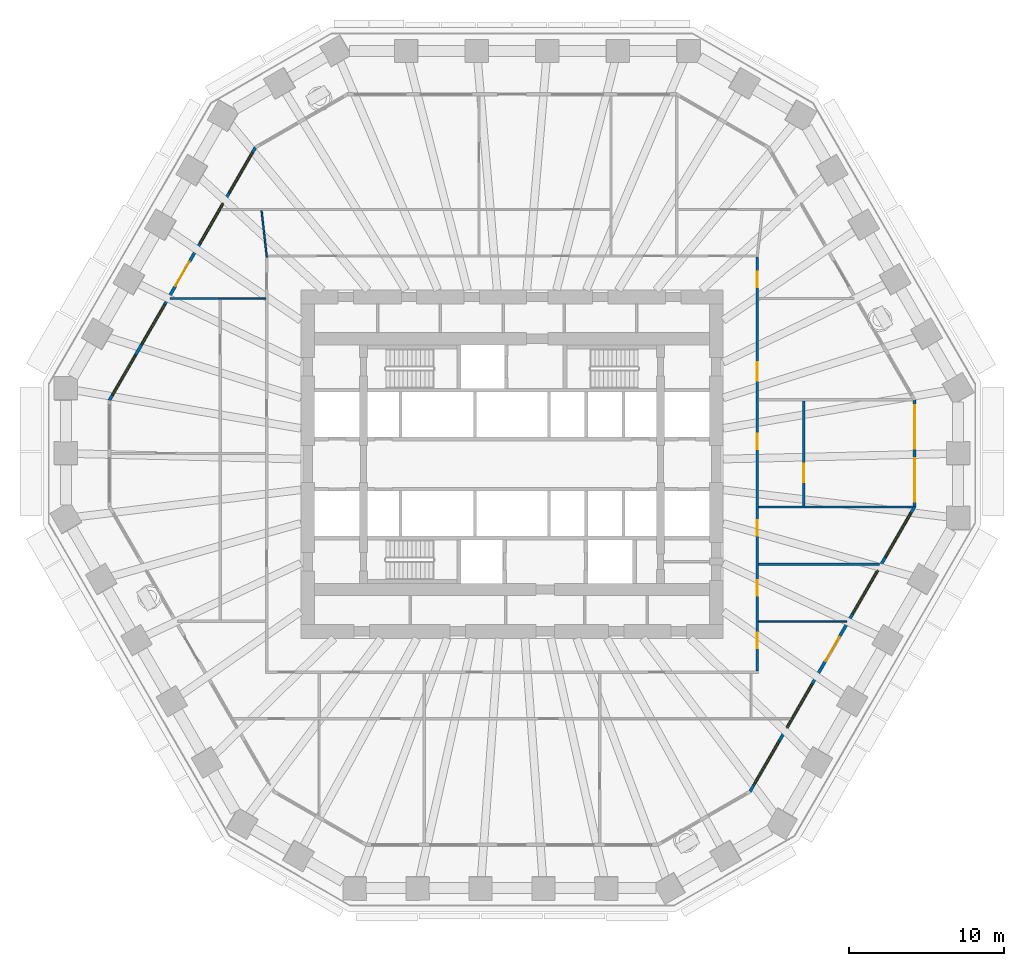
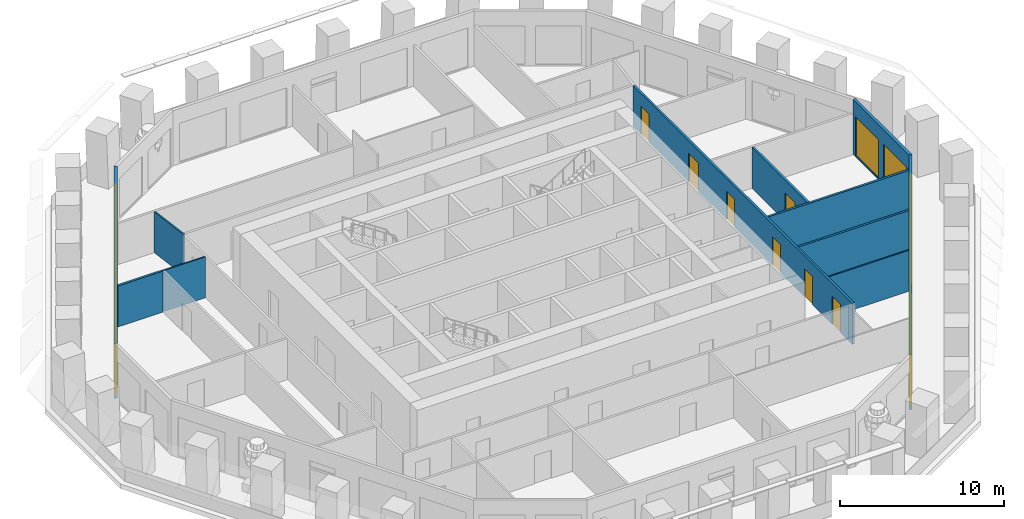
# One storey, part 6 of 13: 12 windows, 11 walls, 9 doors, 21 openings.
"""IFC4 building model written with IfcOpenShell, lengths in metres."""

from ifc_helpers import new_model, si_unit, direction, frame, frame_2d, origin, place, context, subcontext, project, spatial, polyline, rectangle, outline, extrude, material, layer, layer_set, type_object, element, fill, save


model = new_model("IFC4")

# Units and contexts
model_context = context("Model", 3, precision=1e-05, world=origin(), true_north=direction((0.0, 1.0)))
body_context = subcontext(model_context, "Body", "Model", "MODEL_VIEW")
ifc_project = project(units=[si_unit("LENGTHUNIT", "METRE"), si_unit("AREAUNIT", "SQUARE_METRE"), si_unit("VOLUMEUNIT", "CUBIC_METRE"), si_unit("PLANEANGLEUNIT", "RADIAN"), si_unit("MASSUNIT", "GRAM", prefix="KILO")], contexts=[model_context])

# Site, building, storey
site_placement = place(None, origin())
site = spatial("IfcSite", under=ifc_project, at=site_placement, CompositionType="ELEMENT")
building_placement = place(site_placement, origin())
building = spatial("IfcBuilding", under=site, at=building_placement, Name="Frailejon Research Tower", CompositionType="ELEMENT")
storey_placement = place(building_placement, frame((0.0, 0.0, 36.60009765625)))
storey = spatial("IfcBuildingStorey", under=building, at=storey_placement, Name="L08", CompositionType="ELEMENT", Elevation=36.60009765625)

# Wall, openings, doors
ifc_material_1 = material(Name="Gypsum board and masonry partition", Category="masonry")
ifc_layer_1 = layer(ifc_material_1, 0.14990234375)
ifc_layer_set_1 = layer_set([ifc_layer_1], Name="Corridor wall EI 60, gypsum on steel studs 150")
wall_type_1 = type_object("IfcWallType", Name="Corridor wall EI 60, gypsum on steel studs 150", PredefinedType="PARTITIONING", material=ifc_layer_set_1)
wall_1_placement = place(storey_placement, frame((15.85009765625, -13.375, 0.0), z_axis=(0.0, 0.0, 1.0), x_axis=(0.0, 1.0, 0.0)))
wall_1 = element("IfcWall", 1, at=wall_1_placement, inside=storey, type_object=wall_type_1, Name="T:IW:L08:001", PredefinedType="PARTITIONING", context=body_context, shape_type="SweptSolid", body=[
    extrude(rectangle(XDim=26.75, YDim=0.14990234375, at=frame_2d((13.375, 0.0))), origin(), (0.0, 0.0, 1.0), 3.0498046875),
])
opening_1_placement = place(wall_1_placement, frame((14.3505859375, 0.0, 0.0)))
opening_1 = element("IfcOpeningElement", 2, at=opening_1_placement, cuts=wall_1, Name="Opening D1346", PredefinedType="OPENING", context=body_context, shape_type="SweptSolid", body=[
    extrude(rectangle(XDim=1.0, YDim=2.10009765625, at=frame_2d((0.5, 1.050048828125))), frame((0.0, 0.0849609375, 0.0), z_axis=(0.0, -1.0, 0.0), x_axis=(1.0, 0.0, 0.0)), (0.0, 0.0, 1.0), 0.169921875),
])
opening_2_placement = place(wall_1_placement, frame((18.77490234375, 0.0, 0.0)))
opening_2 = element("IfcOpeningElement", 3, at=opening_2_placement, cuts=wall_1, Name="Opening D1347", PredefinedType="OPENING", context=body_context, shape_type="SweptSolid", body=[
    extrude(rectangle(XDim=1.199951171875, YDim=2.10009765625, at=frame_2d((0.60009765625, 1.050048828125))), frame((0.0, 0.0849609375, 0.0), z_axis=(0.0, -1.0, 0.0), x_axis=(1.0, 0.0, 0.0)), (0.0, 0.0, 1.0), 0.169921875),
])
opening_3_placement = place(wall_1_placement, frame((24.797607421875, 0.0, 0.0)))
opening_3 = element("IfcOpeningElement", 4, at=opening_3_placement, cuts=wall_1, Name="Opening D1348", PredefinedType="OPENING", context=body_context, shape_type="SweptSolid", body=[
    extrude(rectangle(XDim=1.0, YDim=2.10009765625, at=frame_2d((0.5, 1.050048828125))), frame((0.0, 0.0849609375, 0.0), z_axis=(0.0, -1.0, 0.0), x_axis=(1.0, 0.0, 0.0)), (0.0, 0.0, 1.0), 0.169921875),
])
opening_4_placement = place(wall_1_placement, frame((1.4716796875, 0.0, 0.0)))
opening_4 = element("IfcOpeningElement", 5, at=opening_4_placement, cuts=wall_1, Name="Opening D1369", PredefinedType="OPENING", context=body_context, shape_type="SweptSolid", body=[
    extrude(rectangle(XDim=1.0, YDim=2.10009765625, at=frame_2d((0.5, 1.050048828125))), frame((0.0, 0.0849609375, 0.0), z_axis=(0.0, -1.0, 0.0), x_axis=(1.0, 0.0, 0.0)), (0.0, 0.0, 1.0), 0.169921875),
])
opening_5_placement = place(wall_1_placement, frame((4.864501953125, 0.0, 0.0)))
opening_5 = element("IfcOpeningElement", 6, at=opening_5_placement, cuts=wall_1, Name="Opening D1370", PredefinedType="OPENING", context=body_context, shape_type="SweptSolid", body=[
    extrude(rectangle(XDim=1.0, YDim=2.10009765625, at=frame_2d((0.5, 1.050048828125))), frame((0.0, 0.0849609375, 0.0), z_axis=(0.0, -1.0, 0.0), x_axis=(1.0, 0.0, 0.0)), (0.0, 0.0, 1.0), 0.169921875),
])
opening_6_placement = place(wall_1_placement, frame((8.75439453125, 0.0, 0.0)))
opening_6 = element("IfcOpeningElement", 7, at=opening_6_placement, cuts=wall_1, Name="Opening D1371", PredefinedType="OPENING", context=body_context, shape_type="SweptSolid", body=[
    extrude(rectangle(XDim=1.0, YDim=2.10009765625, at=frame_2d((0.5, 1.050048828125))), frame((0.0, 0.0849609375, 0.0), z_axis=(0.0, -1.0, 0.0), x_axis=(1.0, 0.0, 0.0)), (0.0, 0.0, 1.0), 0.169921875),
])
ifc_material_2 = material(Name="Timber door leaf", Category="wood")
door_type_1 = type_object("IfcDoorType", Name="Door laboratory, timber, vision panel 1000", OperationType="NOTDEFINED", PredefinedType="DOOR", material=ifc_material_2)
door_1_placement = place(opening_1_placement, origin())
door_1 = element("IfcDoor", 8, at=door_1_placement, inside=storey, type_object=door_type_1, Name="D1346", OperationType="SINGLE_SWING_RIGHT", OverallHeight=2.10009765625, OverallWidth=1.0, PredefinedType="DOOR", context=body_context, shape_type="SweptSolid", body=[
    extrude(rectangle(XDim=1.0, YDim=2.10009765625, at=frame_2d((0.5, 1.050048828125))), frame((0.0, 0.02490234375, 0.0), z_axis=(0.0, -1.0, 0.0), x_axis=(1.0, 0.0, 0.0)), (0.0, 0.0, 1.0), 0.050048828125),
])
fill(opening_1, door_1)
door_2_placement = place(opening_6_placement, origin())
door_2 = element("IfcDoor", 9, at=door_2_placement, inside=storey, type_object=door_type_1, Name="D1371", OperationType="SINGLE_SWING_LEFT", OverallHeight=2.10009765625, OverallWidth=1.0, PredefinedType="DOOR", context=body_context, shape_type="SweptSolid", body=[
    extrude(rectangle(XDim=1.0, YDim=2.10009765625, at=frame_2d((0.5, 1.050048828125))), frame((0.0, 0.02490234375, 0.0), z_axis=(0.0, -1.0, 0.0), x_axis=(1.0, 0.0, 0.0)), (0.0, 0.0, 1.0), 0.050048828125),
])
fill(opening_6, door_2)
ifc_material_3 = material(Name="Timber door leaf", Category="wood")
door_type_2 = type_object("IfcDoorType", Name="Door laboratory, timber, vision panel 1200", OperationType="NOTDEFINED", PredefinedType="DOOR", material=ifc_material_3)
door_3_placement = place(opening_2_placement, origin())
door_3 = element("IfcDoor", 10, at=door_3_placement, inside=storey, type_object=door_type_2, Name="D1347", OperationType="DOUBLE_DOOR_SINGLE_SWING", OverallHeight=2.10009765625, OverallWidth=1.199951171875, PredefinedType="DOOR", context=body_context, shape_type="SweptSolid", body=[
    extrude(rectangle(XDim=1.199951171875, YDim=2.10009765625, at=frame_2d((0.60009765625, 1.050048828125))), frame((0.0, 0.02490234375, 0.0), z_axis=(0.0, -1.0, 0.0), x_axis=(1.0, 0.0, 0.0)), (0.0, 0.0, 1.0), 0.050048828125),
])
fill(opening_2, door_3)
ifc_material_4 = material(Name="Timber door leaf", Category="wood")
door_type_3 = type_object("IfcDoorType", Name="Door single leaf, timber, steel frame 1000", OperationType="NOTDEFINED", PredefinedType="DOOR", material=ifc_material_4)
door_4_placement = place(opening_3_placement, origin())
door_4 = element("IfcDoor", 11, at=door_4_placement, inside=storey, type_object=door_type_3, Name="D1348", OperationType="SINGLE_SWING_LEFT", OverallHeight=2.10009765625, OverallWidth=1.0, PredefinedType="DOOR", context=body_context, shape_type="SweptSolid", body=[
    extrude(rectangle(XDim=1.0, YDim=2.10009765625, at=frame_2d((0.5, 1.050048828125))), frame((0.0, 0.02490234375, 0.0), z_axis=(0.0, -1.0, 0.0), x_axis=(1.0, 0.0, 0.0)), (0.0, 0.0, 1.0), 0.050048828125),
])
fill(opening_3, door_4)
door_5_placement = place(opening_4_placement, origin())
door_5 = element("IfcDoor", 12, at=door_5_placement, inside=storey, type_object=door_type_3, Name="D1369", OperationType="SINGLE_SWING_RIGHT", OverallHeight=2.10009765625, OverallWidth=1.0, PredefinedType="DOOR", context=body_context, shape_type="SweptSolid", body=[
    extrude(rectangle(XDim=1.0, YDim=2.10009765625, at=frame_2d((0.5, 1.050048828125))), frame((0.0, 0.02490234375, 0.0), z_axis=(0.0, -1.0, 0.0), x_axis=(1.0, 0.0, 0.0)), (0.0, 0.0, 1.0), 0.050048828125),
])
fill(opening_4, door_5)
door_6_placement = place(opening_5_placement, origin())
door_6 = element("IfcDoor", 13, at=door_6_placement, inside=storey, type_object=door_type_3, Name="D1370", OperationType="SINGLE_SWING_RIGHT", OverallHeight=2.10009765625, OverallWidth=1.0, PredefinedType="DOOR", context=body_context, shape_type="SweptSolid", body=[
    extrude(rectangle(XDim=1.0, YDim=2.10009765625, at=frame_2d((0.5, 1.050048828125))), frame((0.0, 0.02490234375, 0.0), z_axis=(0.0, -1.0, 0.0), x_axis=(1.0, 0.0, 0.0)), (0.0, 0.0, 1.0), 0.050048828125),
])
fill(opening_5, door_6)

# Wall, opening, door
ifc_material_5 = material(Name="Gypsum board and masonry partition", Category="masonry")
ifc_layer_2 = layer(ifc_material_5, 0.14990234375)
ifc_layer_set_2 = layer_set([ifc_layer_2], Name="Laboratory partition, blockwork 150")
wall_type_2 = type_object("IfcWallType", Name="Laboratory partition, blockwork 150", PredefinedType="PARTITIONING", material=ifc_layer_set_2)
wall_2_placement = place(storey_placement, frame((18.85009765625, -2.69775390625, 0.0), z_axis=(0.0, 0.0, 1.0), x_axis=(0.0, 1.0, 0.0)))
wall_2 = element("IfcWall", 14, at=wall_2_placement, inside=storey, type_object=wall_type_2, Name="T:IW:L08:005", PredefinedType="PARTITIONING", context=body_context, shape_type="SweptSolid", body=[
    extrude(rectangle(XDim=6.7783203125, YDim=0.14990234375, at=frame_2d((3.38916015625, 0.0))), origin(), (0.0, 0.0, 1.0), 3.0498046875),
])
opening_7_placement = place(wall_2_placement, frame((1.531982421875, 0.0, 0.0)))
opening_7 = element("IfcOpeningElement", 15, at=opening_7_placement, cuts=wall_2, Name="Opening D1345", PredefinedType="OPENING", context=body_context, shape_type="SweptSolid", body=[
    extrude(rectangle(XDim=1.199951171875, YDim=2.10009765625, at=frame_2d((0.60009765625, 1.050048828125))), frame((0.0, 0.0849609375, 0.0), z_axis=(0.0, -1.0, 0.0), x_axis=(1.0, 0.0, 0.0)), (0.0, 0.0, 1.0), 0.169921875),
])
door_7_placement = place(opening_7_placement, origin())
door_7 = element("IfcDoor", 16, at=door_7_placement, inside=storey, type_object=door_type_2, Name="D1345", OperationType="DOUBLE_DOOR_SINGLE_SWING", OverallHeight=2.10009765625, OverallWidth=1.199951171875, PredefinedType="DOOR", context=body_context, shape_type="SweptSolid", body=[
    extrude(rectangle(XDim=1.199951171875, YDim=2.10009765625, at=frame_2d((0.60009765625, 1.050048828125))), frame((0.0, 0.02490234375, 0.0), z_axis=(0.0, -1.0, 0.0), x_axis=(1.0, 0.0, 0.0)), (0.0, 0.0, 1.0), 0.050048828125),
])
fill(opening_7, door_7)

# Walls
wall_3_placement = place(storey_placement, frame((15.925048828125, -2.772705078125, 0.0), z_axis=(0.0, 0.0, 1.0), x_axis=(1.0, 0.0, 0.0)))
element("IfcWall", 17, at=wall_3_placement, inside=storey, type_object=wall_type_2, Name="T:IW:L08:007", PredefinedType="PARTITIONING", context=body_context, shape_type="SweptSolid", body=[
    extrude(rectangle(XDim=9.9560546875, YDim=0.14990234375, at=frame_2d((4.97802734375, 0.0))), origin(), (0.0, 0.0, 1.0), 3.0498046875),
])
wall_4_placement = place(storey_placement, frame((-22.09814453125, 10.70751953125, 0.0), z_axis=(0.0, 0.0, 1.0), x_axis=(1.0, 0.0, 0.0)))
element("IfcWall", 18, at=wall_4_placement, inside=storey, type_object=wall_type_2, Name="T:IW:L08:008", PredefinedType="PARTITIONING", context=body_context, shape_type="SweptSolid", body=[
    extrude(rectangle(XDim=3.173095703125, YDim=0.14990234375, at=frame_2d((1.58642578125, 0.0))), origin(), (0.0, 0.0, 1.0), 3.0498046875),
])
wall_5_placement = place(storey_placement, frame((15.925048828125, -6.463623046875, 0.0), z_axis=(0.0, 0.0, 1.0), x_axis=(1.0, 0.0, 0.0)))
element("IfcWall", 19, at=wall_5_placement, inside=storey, type_object=wall_type_2, Name="T:IW:L08:023", PredefinedType="PARTITIONING", context=body_context, shape_type="SweptSolid", body=[
    extrude(rectangle(XDim=7.824951171875, YDim=0.14990234375, at=frame_2d((3.91259765625, 0.0))), origin(), (0.0, 0.0, 1.0), 3.0498046875),
])
ifc_material_6 = material(Name="Gypsum board and masonry partition", Category="masonry")
ifc_layer_3 = layer(ifc_material_6, 0.10009765625)
ifc_layer_set_3 = layer_set([ifc_layer_3], Name="Partition, gypsum on steel studs 100")
wall_type_3 = type_object("IfcWallType", Name="Partition, gypsum on steel studs 100", PredefinedType="PARTITIONING", material=ifc_layer_set_3)
wall_6_placement = place(storey_placement, frame((-16.18212890625, 16.37548828125, 0.0), z_axis=(0.0, 0.0, 1.0), x_axis=(0.112800828348, -0.993617619169, 0.0)))
element("IfcWall", 20, at=wall_6_placement, inside=storey, type_object=wall_type_3, Name="T:IW:L08:027", PredefinedType="PARTITIONING", context=body_context, shape_type="SweptSolid", body=[
    extrude(rectangle(XDim=3.019287109375, YDim=0.10009765625, at=frame_2d((1.509765625, 0.0))), origin(), (0.0, 0.0, 1.0), 3.0498046875),
])
wall_7_placement = place(storey_placement, frame((-18.925048828125, 10.70751953125, 0.0), z_axis=(0.0, 0.0, 1.0), x_axis=(1.0, 0.0, 0.0)))
element("IfcWall", 21, at=wall_7_placement, inside=storey, type_object=wall_type_3, Name="T:IW:L08:028", PredefinedType="PARTITIONING", context=body_context, shape_type="SweptSolid", body=[
    extrude(rectangle(XDim=3.0, YDim=0.10009765625, at=frame_2d((1.5, 0.0))), origin(), (0.0, 0.0, 1.0), 3.0498046875),
])
wall_8_placement = place(storey_placement, frame((15.925048828125, -10.154541015625, 0.0), z_axis=(0.0, 0.0, 1.0), x_axis=(1.0, 0.0, 0.0)))
element("IfcWall", 22, at=wall_8_placement, inside=storey, type_object=wall_type_3, Name="T:IW:L08:032", PredefinedType="PARTITIONING", context=body_context, shape_type="SweptSolid", body=[
    extrude(rectangle(XDim=5.694091796875, YDim=0.10009765625, at=frame_2d((2.84716796875, 0.0))), origin(), (0.0, 0.0, 1.0), 3.0498046875),
])

# Wall, openings, windows
ifc_material_7 = material(Name="Concrete C40/50 precast window wall panel", Category="concrete")
ifc_layer_4 = layer(ifc_material_7, 0.199951171875)
ifc_layer_set_4 = layer_set([ifc_layer_4], Name="Window wall 200")
wall_type_4 = type_object("IfcWallType", Name="Window wall 200", PredefinedType="SOLIDWALL", material=ifc_layer_set_4)
wall_9_placement = place(storey_placement, frame((26.011962890625, -2.745849609375, 0.0), z_axis=(0.0, 0.0, 1.0), x_axis=(0.0, 1.0, 0.0)))
wall_9 = element("IfcWall", 23, at=wall_9_placement, inside=storey, type_object=wall_type_4, Name="Exterior wall L08", PredefinedType="SOLIDWALL", context=body_context, shape_type="SweptSolid", body=[
    extrude(outline(polyline([(-0.02685546875, -0.10009765625), (1.1279296875, -0.10009765625), (2.282470703125, -0.10009765625), (3.437255859375, -0.10009765625), (4.592041015625, -0.10009765625), (5.74658203125, -0.10009765625), (6.9013671875, -0.10009765625), (6.84765625, 0.10009765625), (5.7109375, 0.10009765625), (4.573974609375, 0.10009765625), (3.437255859375, 0.10009765625), (2.300537109375, 0.10009765625), (1.16357421875, 0.10009765625), (0.02685546875, 0.10009765625), (-0.02685546875, -0.10009765625)])), origin(), (0.0, 0.0, 1.0), 4.099853515625),
])
opening_8_placement = place(wall_9_placement, frame((0.318603515625, 0.0, 0.10009765625)))
opening_8 = element("IfcOpeningElement", 24, at=opening_8_placement, cuts=wall_9, Name="Opening W3", PredefinedType="OPENING", context=body_context, shape_type="SweptSolid", body=[
    extrude(rectangle(XDim=2.800048828125, YDim=2.89990234375, at=frame_2d((1.39990234375, 1.449951171875))), frame((0.0, 0.10986328125, 0.0), z_axis=(0.0, -1.0, 0.0), x_axis=(1.0, 0.0, 0.0)), (0.0, 0.0, 1.0), 0.219970703125),
])
opening_9_placement = place(wall_9_placement, frame((3.756103515625, 0.0, 0.10009765625)))
opening_9 = element("IfcOpeningElement", 25, at=opening_9_placement, cuts=wall_9, Name="Opening W3", PredefinedType="OPENING", context=body_context, shape_type="SweptSolid", body=[
    extrude(rectangle(XDim=2.800048828125, YDim=2.89990234375, at=frame_2d((1.39990234375, 1.449951171875))), frame((0.0, 0.10986328125, 0.0), z_axis=(0.0, -1.0, 0.0), x_axis=(1.0, 0.0, 0.0)), (0.0, 0.0, 1.0), 0.219970703125),
])
ifc_material_8 = material(Name="Aluminium framed double glazing", Category="aluminium")
window_type_1 = type_object("IfcWindowType", Name="Window 2800x2900", PartitioningType="SINGLE_PANEL", PredefinedType="WINDOW", material=ifc_material_8)
window_1_placement = place(opening_8_placement, origin())
window_1 = element("IfcWindow", 26, at=window_1_placement, inside=storey, type_object=window_type_1, Name="Window L08", OverallHeight=2.89990234375, OverallWidth=2.800048828125, PartitioningType="SINGLE_PANEL", PredefinedType="WINDOW", context=body_context, shape_type="SweptSolid", body=[
    extrude(rectangle(XDim=2.800048828125, YDim=2.89990234375, at=frame_2d((1.39990234375, 1.449951171875))), frame((0.0, 0.030029296875, 0.0), z_axis=(0.0, -1.0, 0.0), x_axis=(1.0, 0.0, 0.0)), (0.0, 0.0, 1.0), 0.06005859375),
])
fill(opening_8, window_1)
window_2_placement = place(opening_9_placement, origin())
window_2 = element("IfcWindow", 27, at=window_2_placement, inside=storey, type_object=window_type_1, Name="Window L08", OverallHeight=2.89990234375, OverallWidth=2.800048828125, PartitioningType="SINGLE_PANEL", PredefinedType="WINDOW", context=body_context, shape_type="SweptSolid", body=[
    extrude(rectangle(XDim=2.800048828125, YDim=2.89990234375, at=frame_2d((1.39990234375, 1.449951171875))), frame((0.0, 0.030029296875, 0.0), z_axis=(0.0, -1.0, 0.0), x_axis=(1.0, 0.0, 0.0)), (0.0, 0.0, 1.0), 0.06005859375),
])
fill(opening_9, window_2)

# Wall, openings, door, windows
wall_10_placement = place(storey_placement, frame((-16.58154296875, 20.462646484375, 0.0), z_axis=(0.0, 0.0, 1.0), x_axis=(-0.499999588275, -0.866025641494, 0.0)))
wall_10 = element("IfcWall", 28, at=wall_10_placement, inside=storey, type_object=wall_type_4, Name="Exterior wall L08", PredefinedType="SOLIDWALL", context=body_context, shape_type="SweptSolid", body=[
    extrude(outline(polyline([(-0.02685546875, -0.10009765625), (1.02392578125, -0.10009765625), (2.07470703125, -0.10009765625), (3.12548828125, -0.10009765625), (4.17626953125, -0.10009765625), (5.227294921875, -0.10009765625), (6.278076171875, -0.10009765625), (7.328857421875, -0.10009765625), (8.379638671875, -0.10009765625), (9.430419921875, -0.10009765625), (10.481201171875, -0.10009765625), (11.531982421875, -0.10009765625), (12.582763671875, -0.10009765625), (13.633544921875, -0.10009765625), (14.6845703125, -0.10009765625), (15.7353515625, -0.10009765625), (16.7861328125, -0.10009765625), (17.8369140625, -0.10009765625), (18.8876953125, -0.10009765625), (18.833984375, 0.10009765625), (17.7890625, 0.10009765625), (16.744384765625, 0.10009765625), (15.699462890625, 0.10009765625), (14.654541015625, 0.10009765625), (13.60986328125, 0.10009765625), (12.56494140625, 0.10009765625), (11.52001953125, 0.10009765625), (10.475341796875, 0.10009765625), (9.430419921875, 0.10009765625), (8.385498046875, 0.10009765625), (7.3408203125, 0.10009765625), (6.2958984375, 0.10009765625), (5.2509765625, 0.10009765625), (4.206298828125, 0.10009765625), (3.161376953125, 0.10009765625), (2.116455078125, 0.10009765625), (1.07177734375, 0.10009765625), (0.02685546875, 0.10009765625), (-0.02685546875, -0.10009765625)])), origin(), (0.0, 0.0, 1.0), 4.099853515625),
])
opening_10_placement = place(wall_10_placement, frame((0.385986328125, 0.0, 0.10009765625)))
opening_10 = element("IfcOpeningElement", 29, at=opening_10_placement, cuts=wall_10, Name="Opening W4", PredefinedType="OPENING", context=body_context, shape_type="SweptSolid", body=[
    extrude(rectangle(XDim=3.0, YDim=2.89990234375, at=frame_2d((1.5, 1.449951171875))), frame((0.0, 0.10986328125, 0.0), z_axis=(0.0, -1.0, 0.0), x_axis=(1.0, 0.0, 0.0)), (0.0, 0.0, 1.0), 0.219970703125),
])
opening_11_placement = place(wall_10_placement, frame((4.158203125, 0.0, 0.10009765625)))
opening_11 = element("IfcOpeningElement", 30, at=opening_11_placement, cuts=wall_10, Name="Opening W4", PredefinedType="OPENING", context=body_context, shape_type="SweptSolid", body=[
    extrude(rectangle(XDim=3.0, YDim=2.89990234375, at=frame_2d((1.5, 1.449951171875))), frame((0.0, 0.10986328125, 0.0), z_axis=(0.0, -1.0, 0.0), x_axis=(1.0, 0.0, 0.0)), (0.0, 0.0, 1.0), 0.219970703125),
])
opening_12_placement = place(wall_10_placement, frame((8.530517578125, 0.0, 0.0)))
opening_12 = element("IfcOpeningElement", 31, at=opening_12_placement, cuts=wall_10, Name="Opening LG08-3", PredefinedType="OPENING", context=body_context, shape_type="SweptSolid", body=[
    extrude(rectangle(XDim=1.800048828125, YDim=2.39990234375, at=frame_2d((0.89990234375, 1.199951171875))), frame((0.0, 0.10986328125, 0.0), z_axis=(0.0, -1.0, 0.0), x_axis=(1.0, 0.0, 0.0)), (0.0, 0.0, 1.0), 0.219970703125),
])
opening_13_placement = place(wall_10_placement, frame((8.530517578125, 0.0, 2.550048828125)))
opening_13 = element("IfcOpeningElement", 32, at=opening_13_placement, cuts=wall_10, Name="Opening W1", PredefinedType="OPENING", context=body_context, shape_type="SweptSolid", body=[
    extrude(rectangle(XDim=1.800048828125, YDim=0.449951171875, at=frame_2d((0.89990234375, 0.22509765625))), frame((0.0, 0.10986328125, 0.0), z_axis=(0.0, -1.0, 0.0), x_axis=(1.0, 0.0, 0.0)), (0.0, 0.0, 1.0), 0.219970703125),
])
opening_14_placement = place(wall_10_placement, frame((11.70263671875, 0.0, 0.10009765625)))
opening_14 = element("IfcOpeningElement", 33, at=opening_14_placement, cuts=wall_10, Name="Opening W4", PredefinedType="OPENING", context=body_context, shape_type="SweptSolid", body=[
    extrude(rectangle(XDim=3.0, YDim=2.89990234375, at=frame_2d((1.5, 1.449951171875))), frame((0.0, 0.10986328125, 0.0), z_axis=(0.0, -1.0, 0.0), x_axis=(1.0, 0.0, 0.0)), (0.0, 0.0, 1.0), 0.219970703125),
])
opening_15_placement = place(wall_10_placement, frame((15.474853515625, 0.0, 0.10009765625)))
opening_15 = element("IfcOpeningElement", 34, at=opening_15_placement, cuts=wall_10, Name="Opening W4", PredefinedType="OPENING", context=body_context, shape_type="SweptSolid", body=[
    extrude(rectangle(XDim=3.0, YDim=2.89990234375, at=frame_2d((1.5, 1.449951171875))), frame((0.0, 0.10986328125, 0.0), z_axis=(0.0, -1.0, 0.0), x_axis=(1.0, 0.0, 0.0)), (0.0, 0.0, 1.0), 0.219970703125),
])
ifc_material_9 = material(Name="Aluminium framed glazed door leaf", Category="aluminium")
door_type_4 = type_object("IfcDoorType", Name="Loggia door 1800x2400", OperationType="DOUBLE_DOOR_SINGLE_SWING", PredefinedType="DOOR", material=ifc_material_9)
door_8_placement = place(opening_12_placement, origin())
door_8 = element("IfcDoor", 35, at=door_8_placement, inside=storey, type_object=door_type_4, Name="Door LG08-3", OperationType="DOUBLE_DOOR_SINGLE_SWING", OverallHeight=2.39990234375, OverallWidth=1.800048828125, PredefinedType="DOOR", context=body_context, shape_type="SweptSolid", body=[
    extrude(rectangle(XDim=1.800048828125, YDim=2.39990234375, at=frame_2d((0.89990234375, 1.199951171875))), frame((0.0, 0.02490234375, 0.0), z_axis=(0.0, -1.0, 0.0), x_axis=(1.0, 0.0, 0.0)), (0.0, 0.0, 1.0), 0.050048828125),
])
fill(opening_12, door_8)
ifc_material_10 = material(Name="Aluminium framed double glazing", Category="aluminium")
window_type_2 = type_object("IfcWindowType", Name="Window 1800x450", PartitioningType="SINGLE_PANEL", PredefinedType="WINDOW", material=ifc_material_10)
window_3_placement = place(opening_13_placement, origin())
window_3 = element("IfcWindow", 36, at=window_3_placement, inside=storey, type_object=window_type_2, Name="Window L08", OverallHeight=0.449951171875, OverallWidth=1.800048828125, PartitioningType="SINGLE_PANEL", PredefinedType="WINDOW", context=body_context, shape_type="SweptSolid", body=[
    extrude(rectangle(XDim=1.800048828125, YDim=0.449951171875, at=frame_2d((0.89990234375, 0.22509765625))), frame((0.0, 0.030029296875, 0.0), z_axis=(0.0, -1.0, 0.0), x_axis=(1.0, 0.0, 0.0)), (0.0, 0.0, 1.0), 0.06005859375),
])
fill(opening_13, window_3)
ifc_material_11 = material(Name="Aluminium framed double glazing", Category="aluminium")
window_type_3 = type_object("IfcWindowType", Name="Window 3000x2900", PartitioningType="SINGLE_PANEL", PredefinedType="WINDOW", material=ifc_material_11)
window_4_placement = place(opening_10_placement, origin())
window_4 = element("IfcWindow", 37, at=window_4_placement, inside=storey, type_object=window_type_3, Name="Window L08", OverallHeight=2.89990234375, OverallWidth=3.0, PartitioningType="SINGLE_PANEL", PredefinedType="WINDOW", context=body_context, shape_type="SweptSolid", body=[
    extrude(rectangle(XDim=3.0, YDim=2.89990234375, at=frame_2d((1.5, 1.449951171875))), frame((0.0, 0.030029296875, 0.0), z_axis=(0.0, -1.0, 0.0), x_axis=(1.0, 0.0, 0.0)), (0.0, 0.0, 1.0), 0.06005859375),
])
fill(opening_10, window_4)
window_5_placement = place(opening_11_placement, origin())
window_5 = element("IfcWindow", 38, at=window_5_placement, inside=storey, type_object=window_type_3, Name="Window L08", OverallHeight=2.89990234375, OverallWidth=3.0, PartitioningType="SINGLE_PANEL", PredefinedType="WINDOW", context=body_context, shape_type="SweptSolid", body=[
    extrude(rectangle(XDim=3.0, YDim=2.89990234375, at=frame_2d((1.5, 1.449951171875))), frame((0.0, 0.030029296875, 0.0), z_axis=(0.0, -1.0, 0.0), x_axis=(1.0, 0.0, 0.0)), (0.0, 0.0, 1.0), 0.06005859375),
])
fill(opening_11, window_5)
window_6_placement = place(opening_14_placement, origin())
window_6 = element("IfcWindow", 39, at=window_6_placement, inside=storey, type_object=window_type_3, Name="Window L08", OverallHeight=2.89990234375, OverallWidth=3.0, PartitioningType="SINGLE_PANEL", PredefinedType="WINDOW", context=body_context, shape_type="SweptSolid", body=[
    extrude(rectangle(XDim=3.0, YDim=2.89990234375, at=frame_2d((1.5, 1.449951171875))), frame((0.0, 0.030029296875, 0.0), z_axis=(0.0, -1.0, 0.0), x_axis=(1.0, 0.0, 0.0)), (0.0, 0.0, 1.0), 0.06005859375),
])
fill(opening_14, window_6)
window_7_placement = place(opening_15_placement, origin())
window_7 = element("IfcWindow", 40, at=window_7_placement, inside=storey, type_object=window_type_3, Name="Window L08", OverallHeight=2.89990234375, OverallWidth=3.0, PartitioningType="SINGLE_PANEL", PredefinedType="WINDOW", context=body_context, shape_type="SweptSolid", body=[
    extrude(rectangle(XDim=3.0, YDim=2.89990234375, at=frame_2d((1.5, 1.449951171875))), frame((0.0, 0.030029296875, 0.0), z_axis=(0.0, -1.0, 0.0), x_axis=(1.0, 0.0, 0.0)), (0.0, 0.0, 1.0), 0.06005859375),
])
fill(opening_15, window_7)

wall_11_placement = place(storey_placement, frame((15.384033203125, -21.154052734375, 0.0), z_axis=(0.0, 0.0, 1.0), x_axis=(0.499998188434, 0.86602644969, 0.0)))
wall_11 = element("IfcWall", 41, at=wall_11_placement, inside=storey, type_object=wall_type_4, Name="Exterior wall L08", PredefinedType="SOLIDWALL", context=body_context, shape_type="SweptSolid", body=[
    extrude(outline(polyline([(-0.02685546875, -0.10009765625), (0.98779296875, -0.10009765625), (2.002685546875, -0.10009765625), (3.017333984375, -0.10009765625), (4.0322265625, -0.10009765625), (5.046875, -0.10009765625), (6.0615234375, -0.10009765625), (7.076416015625, -0.10009765625), (8.091064453125, -0.10009765625), (9.105712890625, -0.10009765625), (10.12060546875, -0.10009765625), (11.13525390625, -0.10009765625), (12.150146484375, -0.10009765625), (13.164794921875, -0.10009765625), (14.179443359375, -0.10009765625), (15.1943359375, -0.10009765625), (16.208984375, -0.10009765625), (17.2236328125, -0.10009765625), (18.238525390625, -0.10009765625), (19.253173828125, -0.10009765625), (20.26806640625, -0.10009765625), (21.28271484375, -0.10009765625), (21.22900390625, 0.10009765625), (20.219482421875, 0.10009765625), (19.209716796875, 0.10009765625), (18.2001953125, 0.10009765625), (17.1904296875, 0.10009765625), (16.180908203125, 0.10009765625), (15.171142578125, 0.10009765625), (14.16162109375, 0.10009765625), (13.152099609375, 0.10009765625), (12.142333984375, 0.10009765625), (11.1328125, 0.10009765625), (10.123046875, 0.10009765625), (9.113525390625, 0.10009765625), (8.103759765625, 0.10009765625), (7.09423828125, 0.10009765625), (6.084716796875, 0.10009765625), (5.074951171875, 0.10009765625), (4.0654296875, 0.10009765625), (3.0556640625, 0.10009765625), (2.046142578125, 0.10009765625), (1.036376953125, 0.10009765625), (0.02685546875, 0.10009765625), (-0.02685546875, -0.10009765625)])), origin(), (0.0, 0.0, 1.0), 4.099853515625),
])
opening_16_placement = place(wall_11_placement, frame((0.4755859375, 0.0, 0.10009765625)))
opening_16 = element("IfcOpeningElement", 42, at=opening_16_placement, cuts=wall_11, Name="Opening W5", PredefinedType="OPENING", context=body_context, shape_type="SweptSolid", body=[
    extrude(rectangle(XDim=3.300048828125, YDim=2.89990234375, at=frame_2d((1.64990234375, 1.449951171875))), frame((0.0, 0.10986328125, 0.0), z_axis=(0.0, -1.0, 0.0), x_axis=(1.0, 0.0, 0.0)), (0.0, 0.0, 1.0), 0.219970703125),
])
opening_17_placement = place(wall_11_placement, frame((4.726806640625, 0.0, 0.10009765625)))
opening_17 = element("IfcOpeningElement", 43, at=opening_17_placement, cuts=wall_11, Name="Opening W5", PredefinedType="OPENING", context=body_context, shape_type="SweptSolid", body=[
    extrude(rectangle(XDim=3.300048828125, YDim=2.89990234375, at=frame_2d((1.64990234375, 1.449951171875))), frame((0.0, 0.10986328125, 0.0), z_axis=(0.0, -1.0, 0.0), x_axis=(1.0, 0.0, 0.0)), (0.0, 0.0, 1.0), 0.219970703125),
])
opening_18_placement = place(wall_11_placement, frame((9.727783203125, 0.0, 0.0)))
opening_18 = element("IfcOpeningElement", 44, at=opening_18_placement, cuts=wall_11, Name="Opening LG08-6", PredefinedType="OPENING", context=body_context, shape_type="SweptSolid", body=[
    extrude(rectangle(XDim=1.800048828125, YDim=2.39990234375, at=frame_2d((0.89990234375, 1.199951171875))), frame((0.0, 0.10986328125, 0.0), z_axis=(0.0, -1.0, 0.0), x_axis=(1.0, 0.0, 0.0)), (0.0, 0.0, 1.0), 0.219970703125),
])
opening_19_placement = place(wall_11_placement, frame((9.727783203125, 0.0, 2.550048828125)))
opening_19 = element("IfcOpeningElement", 45, at=opening_19_placement, cuts=wall_11, Name="Opening W1", PredefinedType="OPENING", context=body_context, shape_type="SweptSolid", body=[
    extrude(rectangle(XDim=1.800048828125, YDim=0.449951171875, at=frame_2d((0.89990234375, 0.22509765625))), frame((0.0, 0.10986328125, 0.0), z_axis=(0.0, -1.0, 0.0), x_axis=(1.0, 0.0, 0.0)), (0.0, 0.0, 1.0), 0.219970703125),
])
opening_20_placement = place(wall_11_placement, frame((13.22900390625, 0.0, 0.10009765625)))
opening_20 = element("IfcOpeningElement", 46, at=opening_20_placement, cuts=wall_11, Name="Opening W5", PredefinedType="OPENING", context=body_context, shape_type="SweptSolid", body=[
    extrude(rectangle(XDim=3.300048828125, YDim=2.89990234375, at=frame_2d((1.64990234375, 1.449951171875))), frame((0.0, 0.10986328125, 0.0), z_axis=(0.0, -1.0, 0.0), x_axis=(1.0, 0.0, 0.0)), (0.0, 0.0, 1.0), 0.219970703125),
])
opening_21_placement = place(wall_11_placement, frame((17.480224609375, 0.0, 0.10009765625)))
opening_21 = element("IfcOpeningElement", 47, at=opening_21_placement, cuts=wall_11, Name="Opening W5", PredefinedType="OPENING", context=body_context, shape_type="SweptSolid", body=[
    extrude(rectangle(XDim=3.300048828125, YDim=2.89990234375, at=frame_2d((1.64990234375, 1.449951171875))), frame((0.0, 0.10986328125, 0.0), z_axis=(0.0, -1.0, 0.0), x_axis=(1.0, 0.0, 0.0)), (0.0, 0.0, 1.0), 0.219970703125),
])
door_9_placement = place(opening_18_placement, origin())
door_9 = element("IfcDoor", 48, at=door_9_placement, inside=storey, type_object=door_type_4, Name="Door LG08-6", OperationType="DOUBLE_DOOR_SINGLE_SWING", OverallHeight=2.39990234375, OverallWidth=1.800048828125, PredefinedType="DOOR", context=body_context, shape_type="SweptSolid", body=[
    extrude(rectangle(XDim=1.800048828125, YDim=2.39990234375, at=frame_2d((0.89990234375, 1.199951171875))), frame((0.0, 0.02490234375, 0.0), z_axis=(0.0, -1.0, 0.0), x_axis=(1.0, 0.0, 0.0)), (0.0, 0.0, 1.0), 0.050048828125),
])
fill(opening_18, door_9)
window_8_placement = place(opening_19_placement, origin())
window_8 = element("IfcWindow", 49, at=window_8_placement, inside=storey, type_object=window_type_2, Name="Window L08", OverallHeight=0.449951171875, OverallWidth=1.800048828125, PartitioningType="SINGLE_PANEL", PredefinedType="WINDOW", context=body_context, shape_type="SweptSolid", body=[
    extrude(rectangle(XDim=1.800048828125, YDim=0.449951171875, at=frame_2d((0.89990234375, 0.22509765625))), frame((0.0, 0.030029296875, 0.0), z_axis=(0.0, -1.0, 0.0), x_axis=(1.0, 0.0, 0.0)), (0.0, 0.0, 1.0), 0.06005859375),
])
fill(opening_19, window_8)
ifc_material_12 = material(Name="Aluminium framed double glazing", Category="aluminium")
window_type_4 = type_object("IfcWindowType", Name="Window 3300x2900", PartitioningType="SINGLE_PANEL", PredefinedType="WINDOW", material=ifc_material_12)
window_9_placement = place(opening_16_placement, origin())
window_9 = element("IfcWindow", 50, at=window_9_placement, inside=storey, type_object=window_type_4, Name="Window L08", OverallHeight=2.89990234375, OverallWidth=3.300048828125, PartitioningType="SINGLE_PANEL", PredefinedType="WINDOW", context=body_context, shape_type="SweptSolid", body=[
    extrude(rectangle(XDim=3.300048828125, YDim=2.89990234375, at=frame_2d((1.64990234375, 1.449951171875))), frame((0.0, 0.030029296875, 0.0), z_axis=(0.0, -1.0, 0.0), x_axis=(1.0, 0.0, 0.0)), (0.0, 0.0, 1.0), 0.06005859375),
])
fill(opening_16, window_9)
window_10_placement = place(opening_17_placement, origin())
window_10 = element("IfcWindow", 51, at=window_10_placement, inside=storey, type_object=window_type_4, Name="Window L08", OverallHeight=2.89990234375, OverallWidth=3.300048828125, PartitioningType="SINGLE_PANEL", PredefinedType="WINDOW", context=body_context, shape_type="SweptSolid", body=[
    extrude(rectangle(XDim=3.300048828125, YDim=2.89990234375, at=frame_2d((1.64990234375, 1.449951171875))), frame((0.0, 0.030029296875, 0.0), z_axis=(0.0, -1.0, 0.0), x_axis=(1.0, 0.0, 0.0)), (0.0, 0.0, 1.0), 0.06005859375),
])
fill(opening_17, window_10)
window_11_placement = place(opening_20_placement, origin())
window_11 = element("IfcWindow", 52, at=window_11_placement, inside=storey, type_object=window_type_4, Name="Window L08", OverallHeight=2.89990234375, OverallWidth=3.300048828125, PartitioningType="SINGLE_PANEL", PredefinedType="WINDOW", context=body_context, shape_type="SweptSolid", body=[
    extrude(rectangle(XDim=3.300048828125, YDim=2.89990234375, at=frame_2d((1.64990234375, 1.449951171875))), frame((0.0, 0.030029296875, 0.0), z_axis=(0.0, -1.0, 0.0), x_axis=(1.0, 0.0, 0.0)), (0.0, 0.0, 1.0), 0.06005859375),
])
fill(opening_20, window_11)
window_12_placement = place(opening_21_placement, origin())
window_12 = element("IfcWindow", 53, at=window_12_placement, inside=storey, type_object=window_type_4, Name="Window L08", OverallHeight=2.89990234375, OverallWidth=3.300048828125, PartitioningType="SINGLE_PANEL", PredefinedType="WINDOW", context=body_context, shape_type="SweptSolid", body=[
    extrude(rectangle(XDim=3.300048828125, YDim=2.89990234375, at=frame_2d((1.64990234375, 1.449951171875))), frame((0.0, 0.030029296875, 0.0), z_axis=(0.0, -1.0, 0.0), x_axis=(1.0, 0.0, 0.0)), (0.0, 0.0, 1.0), 0.06005859375),
])
fill(opening_21, window_12)

save(model, "model.ifc")
